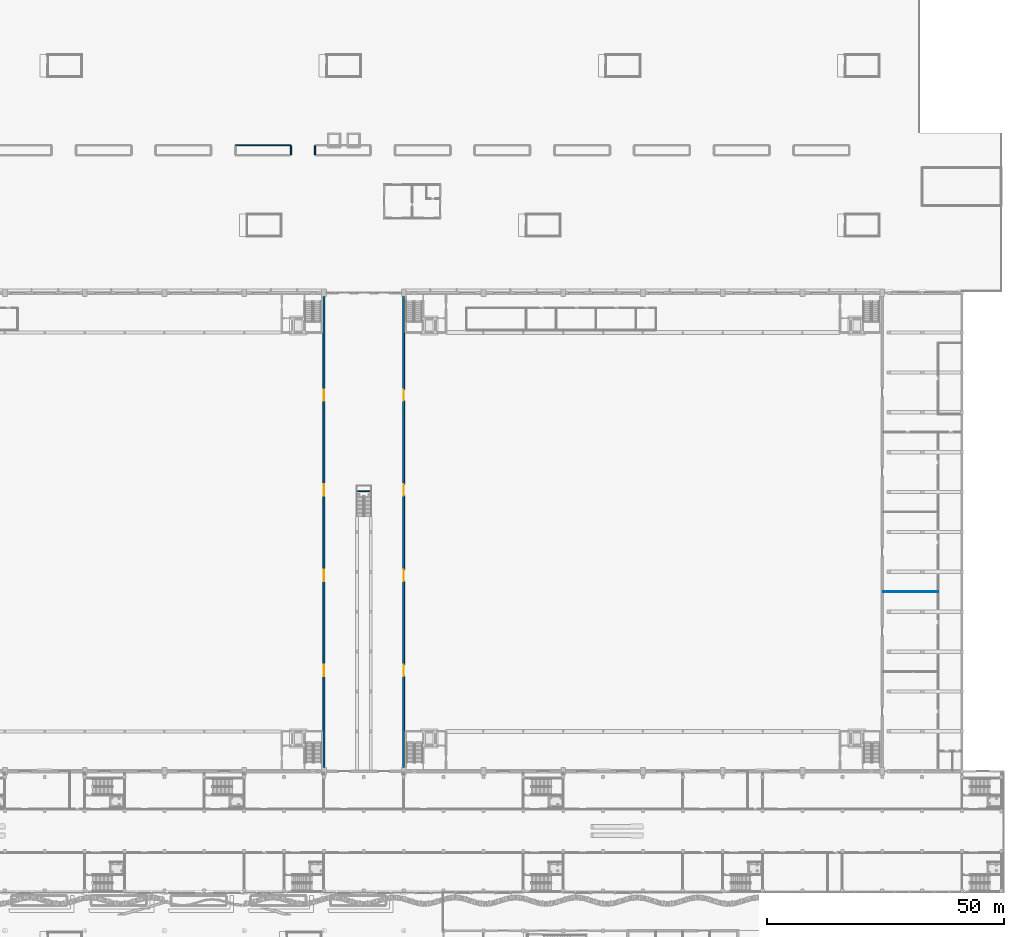
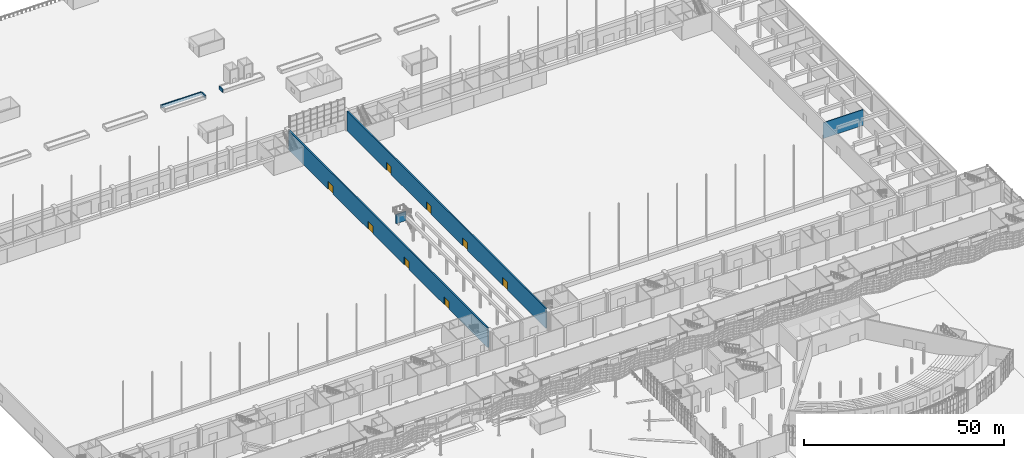
# One storey, part 117 of 210: 8 doors, 7 walls, 8 openings.
"""IFC4 building model written with IfcOpenShell, lengths in metres."""

from ifc_helpers import new_model, si_unit, direction, frame, frame_2d, origin, place, context, subcontext, project, spatial, rectangle, extrude, material, layer, layer_set, type_object, element, fill, save


model = new_model("IFC4")

# Units and contexts
model_context = context("Model", 3, precision=1e-05, world=origin(), true_north=direction((0.0, 1.0)))
body_context = subcontext(model_context, "Body", "Model", "MODEL_VIEW")
ifc_project = project(units=[si_unit("LENGTHUNIT", "METRE"), si_unit("AREAUNIT", "SQUARE_METRE"), si_unit("VOLUMEUNIT", "CUBIC_METRE"), si_unit("PLANEANGLEUNIT", "RADIAN"), si_unit("MASSUNIT", "GRAM", prefix="KILO")], contexts=[model_context])

# Site, building, storey
site_placement = place(None, origin())
site = spatial("IfcSite", under=ifc_project, at=site_placement, CompositionType="ELEMENT")
building_placement = place(site_placement, origin())
building = spatial("IfcBuilding", under=site, at=building_placement, Name="Rain Tree Exposition and Congress Centre", CompositionType="ELEMENT")
storey_placement = place(building_placement, origin())
storey = spatial("IfcBuildingStorey", under=building, at=storey_placement, Name="L00", CompositionType="ELEMENT", Elevation=0.0)

# Wall
ifc_material_1 = material(Name="Concrete C40/50", Category="concrete")
ifc_layer_1 = layer(ifc_material_1, 0.25)
ifc_layer_set_1 = layer_set([ifc_layer_1], Name="Concrete C40/50")
wall_type_1 = type_object("IfcWallType", Name="Core wall 250", PredefinedType="SHEAR", material=ifc_layer_set_1)
wall_1_placement = place(storey_placement, frame((133.0, 159.800048828125, 0.0), z_axis=(0.0, 0.0, 1.0), x_axis=(1.0, 0.0, 0.0)))
element("IfcWall", 1, at=wall_1_placement, inside=storey, type_object=wall_type_1, Name="Link stair landing wall", PredefinedType="SHEAR", context=body_context, shape_type="SweptSolid", body=[
    extrude(rectangle(XDim=2.85009765625, YDim=0.25, at=frame_2d((1.425048828125, 0.0))), origin(), (0.0, 0.0, 1.0), 2.800048828125),
])

# Wall, openings, doors
ifc_material_2 = material(Name="Precast concrete C50/60", Category="concrete")
ifc_layer_2 = layer(ifc_material_2, 0.39990234375)
ifc_layer_set_2 = layer_set([ifc_layer_2], Name="Precast concrete C50/60")
wall_type_2 = type_object("IfcWallType", Name="Hall gable precast wall 400", PredefinedType="SHEAR", material=ifc_layer_set_2)
wall_2_placement = place(storey_placement, frame((126.0, 101.60009765625, 0.0), z_axis=(0.0, 0.0, 1.0), x_axis=(0.0, 1.0, 0.0)))
wall_2 = element("IfcWall", 2, at=wall_2_placement, inside=storey, type_object=wall_type_2, Name="Gable wall E", PredefinedType="SHEAR", context=body_context, shape_type="SweptSolid", body=[
    extrude(rectangle(XDim=99.199951171875, YDim=0.39990234375, at=frame_2d((49.60009765625, 0.0))), origin(), (0.0, 0.0, 1.0), 6.0),
])
opening_1_placement = place(wall_2_placement, frame((19.199951171875, 0.0, 0.0)))
opening_1 = element("IfcOpeningElement", 3, at=opening_1_placement, cuts=wall_2, Name="Opening DH132", PredefinedType="OPENING", context=body_context, shape_type="SweptSolid", body=[
    extrude(rectangle(XDim=2.39990234375, YDim=2.39990234375, at=frame_2d((1.199951171875, 1.199951171875))), frame((0.0, 0.199951171875, 0.0), z_axis=(0.0, -1.0, 0.0), x_axis=(1.0, 0.0, 0.0)), (0.0, 0.0, 1.0), 0.39990234375),
])
opening_2_placement = place(wall_2_placement, frame((39.199951171875, 0.0, 0.0)))
opening_2 = element("IfcOpeningElement", 4, at=opening_2_placement, cuts=wall_2, Name="Opening DH133", PredefinedType="OPENING", context=body_context, shape_type="SweptSolid", body=[
    extrude(rectangle(XDim=2.39990234375, YDim=2.39990234375, at=frame_2d((1.199951171875, 1.199951171875))), frame((0.0, 0.199951171875, 0.0), z_axis=(0.0, -1.0, 0.0), x_axis=(1.0, 0.0, 0.0)), (0.0, 0.0, 1.0), 0.39990234375),
])
opening_3_placement = place(wall_2_placement, frame((57.199951171875, 0.0, 0.0)))
opening_3 = element("IfcOpeningElement", 5, at=opening_3_placement, cuts=wall_2, Name="Opening DH134", PredefinedType="OPENING", context=body_context, shape_type="SweptSolid", body=[
    extrude(rectangle(XDim=2.39990234375, YDim=2.39990234375, at=frame_2d((1.199951171875, 1.199951171875))), frame((0.0, 0.199951171875, 0.0), z_axis=(0.0, -1.0, 0.0), x_axis=(1.0, 0.0, 0.0)), (0.0, 0.0, 1.0), 0.39990234375),
])
opening_4_placement = place(wall_2_placement, frame((77.199951171875, 0.0, 0.0)))
opening_4 = element("IfcOpeningElement", 6, at=opening_4_placement, cuts=wall_2, Name="Opening DH135", PredefinedType="OPENING", context=body_context, shape_type="SweptSolid", body=[
    extrude(rectangle(XDim=2.39990234375, YDim=2.39990234375, at=frame_2d((1.199951171875, 1.199951171875))), frame((0.0, 0.199951171875, 0.0), z_axis=(0.0, -1.0, 0.0), x_axis=(1.0, 0.0, 0.0)), (0.0, 0.0, 1.0), 0.39990234375),
])
ifc_material_3 = material(Name="Painted steel fire door", Category="steel")
door_type = type_object("IfcDoorType", Name="Link fire door pair 2400x2400", OperationType="DOUBLE_DOOR_SINGLE_SWING", PredefinedType="DOOR", material=ifc_material_3)
door_1_placement = place(opening_1_placement, origin())
door_1 = element("IfcDoor", 7, at=door_1_placement, inside=storey, type_object=door_type, Name="Door DH132", OperationType="DOUBLE_DOOR_SINGLE_SWING", OverallHeight=2.39990234375, OverallWidth=2.39990234375, PredefinedType="DOOR", context=body_context, shape_type="SweptSolid", body=[
    extrude(rectangle(XDim=2.39990234375, YDim=2.39990234375, at=frame_2d((1.199951171875, 1.199951171875))), frame((0.0, 0.02490234375, 0.0), z_axis=(0.0, -1.0, 0.0), x_axis=(1.0, 0.0, 0.0)), (0.0, 0.0, 1.0), 0.050048828125),
])
fill(opening_1, door_1)
door_2_placement = place(opening_2_placement, origin())
door_2 = element("IfcDoor", 8, at=door_2_placement, inside=storey, type_object=door_type, Name="Door DH133", OperationType="DOUBLE_DOOR_SINGLE_SWING", OverallHeight=2.39990234375, OverallWidth=2.39990234375, PredefinedType="DOOR", context=body_context, shape_type="SweptSolid", body=[
    extrude(rectangle(XDim=2.39990234375, YDim=2.39990234375, at=frame_2d((1.199951171875, 1.199951171875))), frame((0.0, 0.02490234375, 0.0), z_axis=(0.0, -1.0, 0.0), x_axis=(1.0, 0.0, 0.0)), (0.0, 0.0, 1.0), 0.050048828125),
])
fill(opening_2, door_2)
door_3_placement = place(opening_3_placement, origin())
door_3 = element("IfcDoor", 9, at=door_3_placement, inside=storey, type_object=door_type, Name="Door DH134", OperationType="DOUBLE_DOOR_SINGLE_SWING", OverallHeight=2.39990234375, OverallWidth=2.39990234375, PredefinedType="DOOR", context=body_context, shape_type="SweptSolid", body=[
    extrude(rectangle(XDim=2.39990234375, YDim=2.39990234375, at=frame_2d((1.199951171875, 1.199951171875))), frame((0.0, 0.02490234375, 0.0), z_axis=(0.0, -1.0, 0.0), x_axis=(1.0, 0.0, 0.0)), (0.0, 0.0, 1.0), 0.050048828125),
])
fill(opening_3, door_3)
door_4_placement = place(opening_4_placement, origin())
door_4 = element("IfcDoor", 10, at=door_4_placement, inside=storey, type_object=door_type, Name="Door DH135", OperationType="DOUBLE_DOOR_SINGLE_SWING", OverallHeight=2.39990234375, OverallWidth=2.39990234375, PredefinedType="DOOR", context=body_context, shape_type="SweptSolid", body=[
    extrude(rectangle(XDim=2.39990234375, YDim=2.39990234375, at=frame_2d((1.199951171875, 1.199951171875))), frame((0.0, 0.02490234375, 0.0), z_axis=(0.0, -1.0, 0.0), x_axis=(1.0, 0.0, 0.0)), (0.0, 0.0, 1.0), 0.050048828125),
])
fill(opening_4, door_4)

wall_3_placement = place(storey_placement, frame((142.800048828125, 101.60009765625, 0.0), z_axis=(0.0, 0.0, 1.0), x_axis=(0.0, 1.0, 0.0)))
wall_3 = element("IfcWall", 11, at=wall_3_placement, inside=storey, type_object=wall_type_2, Name="Gable wall W", PredefinedType="SHEAR", context=body_context, shape_type="SweptSolid", body=[
    extrude(rectangle(XDim=99.199951171875, YDim=0.39990234375, at=frame_2d((49.60009765625, 0.0))), origin(), (0.0, 0.0, 1.0), 6.0),
])
opening_5_placement = place(wall_3_placement, frame((19.199951171875, 0.0, 0.0)))
opening_5 = element("IfcOpeningElement", 12, at=opening_5_placement, cuts=wall_3, Name="Opening DH162", PredefinedType="OPENING", context=body_context, shape_type="SweptSolid", body=[
    extrude(rectangle(XDim=2.39990234375, YDim=2.39990234375, at=frame_2d((1.199951171875, 1.199951171875))), frame((0.0, 0.199951171875, 0.0), z_axis=(0.0, -1.0, 0.0), x_axis=(1.0, 0.0, 0.0)), (0.0, 0.0, 1.0), 0.39990234375),
])
opening_6_placement = place(wall_3_placement, frame((39.199951171875, 0.0, 0.0)))
opening_6 = element("IfcOpeningElement", 13, at=opening_6_placement, cuts=wall_3, Name="Opening DH163", PredefinedType="OPENING", context=body_context, shape_type="SweptSolid", body=[
    extrude(rectangle(XDim=2.39990234375, YDim=2.39990234375, at=frame_2d((1.199951171875, 1.199951171875))), frame((0.0, 0.199951171875, 0.0), z_axis=(0.0, -1.0, 0.0), x_axis=(1.0, 0.0, 0.0)), (0.0, 0.0, 1.0), 0.39990234375),
])
opening_7_placement = place(wall_3_placement, frame((57.199951171875, 0.0, 0.0)))
opening_7 = element("IfcOpeningElement", 14, at=opening_7_placement, cuts=wall_3, Name="Opening DH164", PredefinedType="OPENING", context=body_context, shape_type="SweptSolid", body=[
    extrude(rectangle(XDim=2.39990234375, YDim=2.39990234375, at=frame_2d((1.199951171875, 1.199951171875))), frame((0.0, 0.199951171875, 0.0), z_axis=(0.0, -1.0, 0.0), x_axis=(1.0, 0.0, 0.0)), (0.0, 0.0, 1.0), 0.39990234375),
])
opening_8_placement = place(wall_3_placement, frame((77.199951171875, 0.0, 0.0)))
opening_8 = element("IfcOpeningElement", 15, at=opening_8_placement, cuts=wall_3, Name="Opening DH165", PredefinedType="OPENING", context=body_context, shape_type="SweptSolid", body=[
    extrude(rectangle(XDim=2.39990234375, YDim=2.39990234375, at=frame_2d((1.199951171875, 1.199951171875))), frame((0.0, 0.199951171875, 0.0), z_axis=(0.0, -1.0, 0.0), x_axis=(1.0, 0.0, 0.0)), (0.0, 0.0, 1.0), 0.39990234375),
])
door_5_placement = place(opening_5_placement, origin())
door_5 = element("IfcDoor", 16, at=door_5_placement, inside=storey, type_object=door_type, Name="Door DH162", OperationType="DOUBLE_DOOR_SINGLE_SWING", OverallHeight=2.39990234375, OverallWidth=2.39990234375, PredefinedType="DOOR", context=body_context, shape_type="SweptSolid", body=[
    extrude(rectangle(XDim=2.39990234375, YDim=2.39990234375, at=frame_2d((1.199951171875, 1.199951171875))), frame((0.0, 0.02490234375, 0.0), z_axis=(0.0, -1.0, 0.0), x_axis=(1.0, 0.0, 0.0)), (0.0, 0.0, 1.0), 0.050048828125),
])
fill(opening_5, door_5)
door_6_placement = place(opening_6_placement, origin())
door_6 = element("IfcDoor", 17, at=door_6_placement, inside=storey, type_object=door_type, Name="Door DH163", OperationType="DOUBLE_DOOR_SINGLE_SWING", OverallHeight=2.39990234375, OverallWidth=2.39990234375, PredefinedType="DOOR", context=body_context, shape_type="SweptSolid", body=[
    extrude(rectangle(XDim=2.39990234375, YDim=2.39990234375, at=frame_2d((1.199951171875, 1.199951171875))), frame((0.0, 0.02490234375, 0.0), z_axis=(0.0, -1.0, 0.0), x_axis=(1.0, 0.0, 0.0)), (0.0, 0.0, 1.0), 0.050048828125),
])
fill(opening_6, door_6)
door_7_placement = place(opening_7_placement, origin())
door_7 = element("IfcDoor", 18, at=door_7_placement, inside=storey, type_object=door_type, Name="Door DH164", OperationType="DOUBLE_DOOR_SINGLE_SWING", OverallHeight=2.39990234375, OverallWidth=2.39990234375, PredefinedType="DOOR", context=body_context, shape_type="SweptSolid", body=[
    extrude(rectangle(XDim=2.39990234375, YDim=2.39990234375, at=frame_2d((1.199951171875, 1.199951171875))), frame((0.0, 0.02490234375, 0.0), z_axis=(0.0, -1.0, 0.0), x_axis=(1.0, 0.0, 0.0)), (0.0, 0.0, 1.0), 0.050048828125),
])
fill(opening_7, door_7)
door_8_placement = place(opening_8_placement, origin())
door_8 = element("IfcDoor", 19, at=door_8_placement, inside=storey, type_object=door_type, Name="Door DH165", OperationType="DOUBLE_DOOR_SINGLE_SWING", OverallHeight=2.39990234375, OverallWidth=2.39990234375, PredefinedType="DOOR", context=body_context, shape_type="SweptSolid", body=[
    extrude(rectangle(XDim=2.39990234375, YDim=2.39990234375, at=frame_2d((1.199951171875, 1.199951171875))), frame((0.0, 0.02490234375, 0.0), z_axis=(0.0, -1.0, 0.0), x_axis=(1.0, 0.0, 0.0)), (0.0, 0.0, 1.0), 0.050048828125),
])
fill(opening_8, door_8)

# Walls
ifc_material_4 = material(Name="Concrete C40/50", Category="concrete")
ifc_layer_3 = layer(ifc_material_4, 0.300048828125)
ifc_layer_set_3 = layer_set([ifc_layer_3], Name="Concrete C40/50")
wall_type_3 = type_object("IfcWallType", Name="Precast planter wall 300", PredefinedType="SOLIDWALL", material=ifc_layer_set_3)
wall_4_placement = place(storey_placement, frame((107.35009765625, 232.64990234375, 0.0), z_axis=(0.0, 0.0, 1.0), x_axis=(1.0, 0.0, 0.0)))
element("IfcWall", 20, at=wall_4_placement, inside=storey, type_object=wall_type_3, Name="Dock apron planter wall", PredefinedType="SOLIDWALL", context=body_context, shape_type="SweptSolid", body=[
    extrude(rectangle(XDim=11.699951171875, YDim=0.300048828125, at=frame_2d((5.85009765625, 0.0))), origin(), (0.0, 0.0, 1.0), 0.89990234375),
])
for number, where, z_axis, x_axis, name in (
    (21, (119.050048828125, 230.699951171875, 0.0), (0.0, 0.0, 1.0), (0.0, 1.0, 0.0), "Dock apron planter wall"),
    (22, (124.14990234375, 230.699951171875, 0.0), (0.0, 0.0, 1.0), (0.0, 1.0, 0.0), "Dock apron planter wall"),
):
    element("IfcWall", number, at=place(storey_placement, frame(where, z_axis=z_axis, x_axis=x_axis)), inside=storey, type_object=wall_type_3, Name=name, PredefinedType="SOLIDWALL", context=body_context, shape_type="SweptSolid", body=[
        extrude(rectangle(XDim=1.800048828125, YDim=0.300048828125, at=frame_2d((0.89990234375, 0.0))), origin(), (0.0, 0.0, 1.0), 0.89990234375),
    ])
ifc_material_5 = material(Name="Concrete C40/50", Category="concrete")
ifc_layer_4 = layer(ifc_material_5, 0.199951171875)
ifc_layer_set_4 = layer_set([ifc_layer_4], Name="Concrete C40/50")
wall_type_4 = type_object("IfcWallType", Name="Service partition wall 200", PredefinedType="PARTITIONING", material=ifc_layer_set_4)
wall_5_placement = place(storey_placement, frame((243.800048828125, 138.60009765625, 0.0), z_axis=(0.0, 0.0, 1.0), x_axis=(1.0, 0.0, 0.0)))
element("IfcWall", 23, at=wall_5_placement, inside=storey, type_object=wall_type_4, Name="Service room wall", PredefinedType="PARTITIONING", context=body_context, shape_type="SweptSolid", body=[
    extrude(rectangle(XDim=11.599853515625, YDim=0.199951171875, at=frame_2d((5.7998046875, 0.0))), origin(), (0.0, 0.0, 1.0), 4.800048828125),
])

save(model, "model.ifc")
